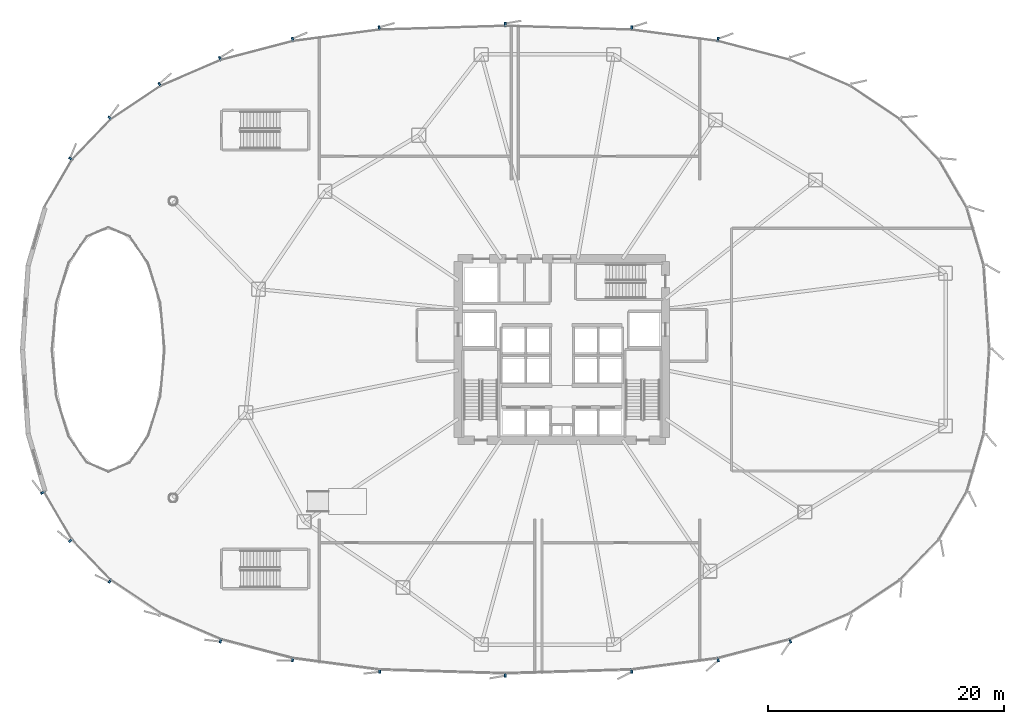
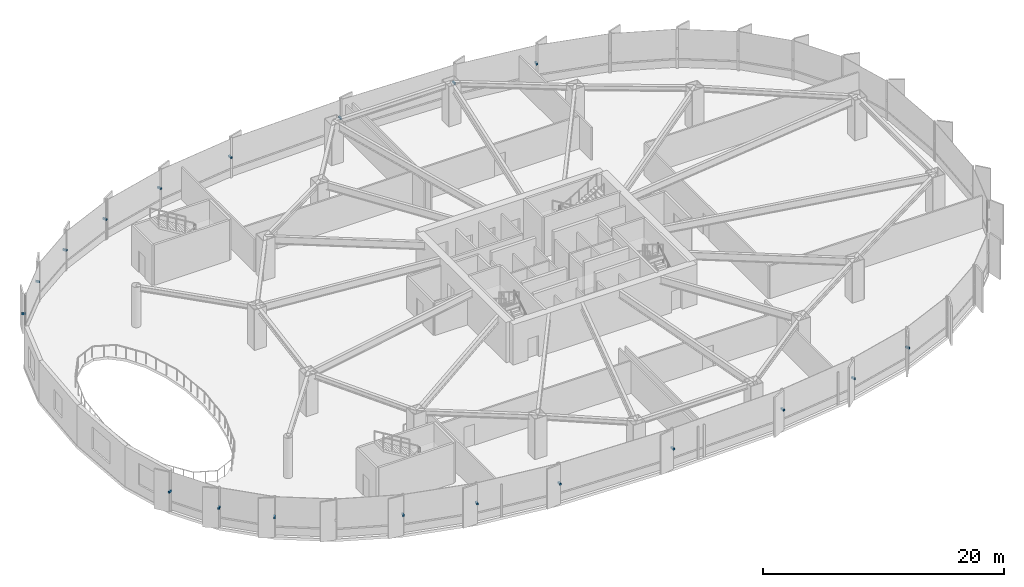
# One storey, part 27 of 34: 19 discrete accessories.
"""IFC4 building model written with IfcOpenShell, lengths in metres."""

import ifcopenshell
import ifcopenshell.guid

model = None  # the IFC model being written
_history = None  # IfcOwnerHistory: only IFC2X3 demands one
_inside = {}  # id of a spatial element -> (the spatial element, [elements in it])
_under = {}  # id of a project, library or spatial element -> (it, [spatial elements below it])
_declared = {}  # id of a project -> (the project, [libraries it declares])
_typed = {}  # id of a type object -> (the type object, [elements of that type])
_made_of = {}  # id of a material, layer set ... -> (it, [elements and type objects made of it])


def new_model(schema):
    """Start an empty IFC model of exactly this schema.

    Asked for "IFC4X3", IfcOpenShell would pick the latest addendum, in which some entities
    have other attributes; the version numbers below select the first issue.
    IFC2X3 requires an IfcOwnerHistory on every rooted entity: one is made here for all.
    """
    global model, _history
    if schema == "IFC4X3":
        model = ifcopenshell.file(schema_version=(4, 3, 0, 0))
    else:
        model = ifcopenshell.file(schema=schema)
    _inside.clear()
    _under.clear()
    _declared.clear()
    _typed.clear()
    _made_of.clear()
    _history = None
    if model.schema == "IFC2X3":
        org = make("IfcOrganization", Name="unknown")
        user = make(
            "IfcPersonAndOrganization",
            ThePerson=make("IfcPerson", FamilyName="unknown"),
            TheOrganization=org,
        )
        app = make(
            "IfcApplication",
            ApplicationDeveloper=org,
            Version="unknown",
            ApplicationFullName="unknown",
            ApplicationIdentifier="unknown",
        )
        _history = make(
            "IfcOwnerHistory",
            OwningUser=user,
            OwningApplication=app,
            ChangeAction="ADDED",
            CreationDate=0,
        )
    return model


def make(cls, **values):
    """One entity of the class cls with the attributes given. An attribute that is None is left unset."""
    return model.create_entity(
        cls, **{name: value for name, value in values.items() if value is not None}
    )


def rooted(cls, **values):
    """An entity with a GlobalId (a new one), such as an element, a storey or a relation."""
    return make(cls, GlobalId=ifcopenshell.guid.new(), OwnerHistory=_history, **values)


def si_unit(unit_type, name, prefix=None):
    """IfcSIUnit, for example si_unit("LENGTHUNIT", "METRE", prefix="MILLI")."""
    return make("IfcSIUnit", UnitType=unit_type, Prefix=prefix, Name=name)


def assignment(units):
    """IfcUnitAssignment: the units of a project."""
    return None if units is None else make("IfcUnitAssignment", Units=units)


def point(xyz):
    """IfcCartesianPoint."""
    return None if xyz is None else make("IfcCartesianPoint", Coordinates=xyz)


def direction(xyz):
    """IfcDirection."""
    return None if xyz is None else make("IfcDirection", DirectionRatios=xyz)


def frame(location, z_axis=None, x_axis=None):
    """IfcAxis2Placement3D, a coordinate frame: its origin and axes. An axis left out is left unset."""
    return make(
        "IfcAxis2Placement3D",
        Location=point(location),
        Axis=direction(z_axis),
        RefDirection=direction(x_axis),
    )


def frame_2d(location, x_axis=None):
    """IfcAxis2Placement2D, a coordinate frame in the plane: its origin and x axis."""
    return make(
        "IfcAxis2Placement2D", Location=point(location), RefDirection=direction(x_axis)
    )


def origin():
    """The frame at (0, 0, 0) with its axes left unset."""
    return frame((0.0, 0.0, 0.0))


def origin_2d():
    """The frame at (0, 0) in the plane with its x axis left unset."""
    return frame_2d((0.0, 0.0))


def place(relative_to, where):
    """IfcLocalPlacement: puts the frame where relative to a parent placement (None: the world)."""
    return make(
        "IfcLocalPlacement", PlacementRelTo=relative_to, RelativePlacement=where
    )


def context(
    kind, dimensions, precision=None, world=None, true_north=None, identifier=None
):
    """IfcGeometricRepresentationContext, for example the 3D "Model" context."""
    return make(
        "IfcGeometricRepresentationContext",
        ContextIdentifier=identifier,
        ContextType=kind,
        CoordinateSpaceDimension=dimensions,
        Precision=precision,
        WorldCoordinateSystem=world,
        TrueNorth=true_north,
    )


def subcontext(parent, identifier, kind, view, scale=None):
    """IfcGeometricRepresentationSubContext, for example "Body" below "Model"."""
    return make(
        "IfcGeometricRepresentationSubContext",
        ContextIdentifier=identifier,
        ContextType=kind,
        ParentContext=parent,
        TargetScale=scale,
        TargetView=view,
    )


def project(units=None, contexts=None):
    """IfcProject with its units and contexts."""
    return rooted(
        "IfcProject",
        Name="project",
        RepresentationContexts=contexts,
        UnitsInContext=assignment(units),
    )


def spatial(cls, under=None, at=None, **own):
    """A site, building, storey or space (cls), placed at a placement, below another one or the project."""
    s = rooted(cls, ObjectPlacement=at, **own)
    if under is not None:
        _under.setdefault(under.id(), (under, []))[1].append(s)
    return s


def profile(cls, at=None, kind="AREA", **sizes):
    """A parametric profile (cls). Its sizes go by their IFC names, for example OverallWidth=200.0."""
    return make(cls, ProfileType=kind, Position=at, **sizes)


def rectangle(**sizes):
    """IfcRectangleProfileDef."""
    return profile("IfcRectangleProfileDef", **sizes)


def extrude(swept, where, along, depth):
    """IfcExtrudedAreaSolid: the profile swept, set in the frame where, extruded along a direction by depth."""
    return make(
        "IfcExtrudedAreaSolid",
        SweptArea=swept,
        Position=where,
        ExtrudedDirection=direction(along),
        Depth=depth,
    )


def shape(context_of_items, identifier, shape_type, items):
    """IfcShapeRepresentation: the items that make up one representation, for example the "Body"."""
    return make(
        "IfcShapeRepresentation",
        ContextOfItems=context_of_items,
        RepresentationIdentifier=identifier,
        RepresentationType=shape_type,
        Items=items,
    )


def source(mapping_origin, context_of_items, identifier, shape_type, items):
    """IfcRepresentationMap: a shape defined once, which mapped items show again and again."""
    return make(
        "IfcRepresentationMap",
        MappingOrigin=mapping_origin,
        MappedRepresentation=shape(context_of_items, identifier, shape_type, items),
    )


def transform(
    local_origin,
    x_axis=None,
    y_axis=None,
    z_axis=None,
    scale=None,
    scale2=None,
    scale3=None,
    uniform=True,
):
    """IfcCartesianTransformationOperator3D, or its non-uniform kind. x_axis, y_axis, z_axis: its Axis1, 2, 3."""
    if uniform:
        return make(
            "IfcCartesianTransformationOperator3D",
            Axis1=direction(x_axis),
            Axis2=direction(y_axis),
            LocalOrigin=point(local_origin),
            Scale=scale,
            Axis3=direction(z_axis),
        )
    return make(
        "IfcCartesianTransformationOperator3DnonUniform",
        Axis1=direction(x_axis),
        Axis2=direction(y_axis),
        LocalOrigin=point(local_origin),
        Scale=scale,
        Axis3=direction(z_axis),
        Scale2=scale2,
        Scale3=scale3,
    )


def mapped(mapping_source, mapping_target):
    """IfcMappedItem: shows the shape of a source again, moved by a transform."""
    return make(
        "IfcMappedItem", MappingSource=mapping_source, MappingTarget=mapping_target
    )


def material(Name=None, Category=None):
    """IfcMaterial."""
    return make("IfcMaterial", Name=Name, Category=Category)


def made_of(thing, what):
    """Note that an element or type object is made of a material, layer set ...; save() writes the relation."""
    if what is not None:
        _made_of.setdefault(what.id(), (what, []))[1].append(thing)
    return thing


def type_object(cls, material=None, **own):
    """A type object (cls), such as IfcWallType, which elements share."""
    return made_of(rooted(cls, **own), material)


def element(
    cls,
    number,
    at=None,
    inside=None,
    cuts=None,
    type_object=None,
    material=None,
    context=None,
    identifier="Body",
    shape_type=None,
    held_by="IfcProductDefinitionShape",
    body=None,
    shapes=None,
    **own,
):
    """One element of the class cls, such as IfcWall. Its Tag is "e" and its number.

    at: its placement. inside: the storey or other place that contains it. cuts: it is an
    opening in that element (IfcRelVoidsElement). A single representation is given by context,
    identifier, shape_type and body (its items); several are given by shapes. held_by: the class
    of the entity that holds the representations. save() writes the other relations.
    """
    e = rooted(cls, Tag="e%d" % number, ObjectPlacement=at, **own)
    if body is not None:
        shapes = [shape(context, identifier, shape_type, body)]
    if shapes is not None:
        e.Representation = make(held_by, Representations=shapes)
    if inside is not None:
        _inside.setdefault(inside.id(), (inside, []))[1].append(e)
    if cuts is not None:
        rooted(
            "IfcRelVoidsElement", RelatingBuildingElement=cuts, RelatedOpeningElement=e
        )
    if type_object is not None:
        _typed.setdefault(type_object.id(), (type_object, []))[1].append(e)
    return made_of(e, material)


def aggregate(whole, parts):
    """IfcRelAggregates: a whole, such as a stair, and the parts it consists of."""
    return rooted("IfcRelAggregates", RelatingObject=whole, RelatedObjects=parts)


def save(model, path):
    """Write the relations noted so far, then the file.

    IfcRelAggregates (storeys below a building ...), IfcRelContainedInSpatialStructure (elements
    in a storey), IfcRelDefinesByType, IfcRelAssociatesMaterial and IfcRelDeclares: one each for
    every whole, place, type object, material and project.
    """
    for whole, parts in _under.values():
        aggregate(whole, parts)
    for where, things in _inside.values():
        rooted(
            "IfcRelContainedInSpatialStructure",
            RelatedElements=things,
            RelatingStructure=where,
        )
    for kind, things in _typed.values():
        rooted("IfcRelDefinesByType", RelatedObjects=things, RelatingType=kind)
    for what, things in _made_of.values():
        rooted("IfcRelAssociatesMaterial", RelatedObjects=things, RelatingMaterial=what)
    for by, libraries in _declared.values():
        rooted("IfcRelDeclares", RelatingContext=by, RelatedDefinitions=libraries)
    model.write(path)


model = new_model("IFC4")

# Units and contexts
model_context = context("Model", 3, precision=1e-05, world=origin(), true_north=direction((0.0, 1.0)))
body_context = subcontext(model_context, "Body", "Model", "MODEL_VIEW")
ifc_project = project(units=[si_unit("LENGTHUNIT", "METRE"), si_unit("AREAUNIT", "SQUARE_METRE"), si_unit("VOLUMEUNIT", "CUBIC_METRE"), si_unit("PLANEANGLEUNIT", "RADIAN"), si_unit("MASSUNIT", "GRAM", prefix="KILO"), si_unit("THERMODYNAMICTEMPERATUREUNIT", "KELVIN")], contexts=[model_context])

# Site, building, storey
site_placement = place(None, origin())
site = spatial("IfcSite", under=ifc_project, at=site_placement, CompositionType="ELEMENT")
building_placement = place(site_placement, origin())
building = spatial("IfcBuilding", under=site, at=building_placement, Name="Kethvar Cultural Tower", CompositionType="ELEMENT")
storey_placement = place(building_placement, frame((0.0, 0.0, 19.60009765625)))
storey = spatial("IfcBuildingStorey", under=building, at=storey_placement, Name="L04", CompositionType="ELEMENT", Elevation=19.60009765625)

# Discrete accessories
ifc_material = material(Name="Steel S355J2", Category="steel")
discrete_accessory_type = type_object("IfcDiscreteAccessoryType", Name="Steel Fin Bracket BRK-01", PredefinedType="BRACKET", material=ifc_material)
shared_shape = source(origin(), body_context, "Body", "SweptSolid", [
    extrude(rectangle(XDim=0.3798828125, YDim=0.159912109375, at=origin_2d()), origin(), (0.0, 0.0, 1.0), 0.179931640625),
])
for number, where, z_axis, x_axis, name in (
    (1, (60.05126953125, 54.120361328125, 1.94970703125), (0.0, 0.0, 1.0), (0.130699230003, 0.991422065155, 0.0), "L04 Terracotta Fin Bracket 2.2"),
    (2, (52.71630859375, 55.0869140625, 1.94970703125), (0.0, 0.0, 1.0), (0.030189608314, 0.999544189894, 0.0), "L04 Terracotta Fin Bracket 2.3"),
    (3, (41.999755859375, 55.409912109375, 1.94970703125), (0.0, 0.0, 1.0), (-0.030189608314, 0.999544189894, 0.0), "L04 Terracotta Fin Bracket 2.4"),
    (4, (31.28271484375, 55.0869140625, 1.94970703125), (0.0, 0.0, 1.0), (-0.130699230003, 0.991422065155, 0.0), "L04 Terracotta Fin Bracket 2.5"),
    (5, (23.947509765625, 54.1201171875, 1.94970703125), (0.0, 0.0, 1.0), (-0.253082602519, 0.96744467351, 0.0), "L04 Terracotta Fin Bracket 2.6"),
    (6, (17.778076171875, 52.498779296875, 1.94970703125), (0.0, 0.0, 1.0), (-0.396346847517, 0.9181008531, 0.0), "L04 Terracotta Fin Bracket 3.1"),
    (7, (12.668212890625, 50.292236328125, 1.94970703125), (0.0, 0.0, 1.0), (-0.556585649903, 0.83079023485, 0.0), "L04 Terracotta Fin Bracket 3.2"),
    (8, (8.4296875, 47.452880859375, 1.94970703125), (0.0, 0.0, 1.0), (-0.72055111168, 0.693401828276, 0.0), "L04 Terracotta Fin Bracket 3.3"),
    (9, (5.106689453125, 43.998779296875, 1.94970703125), (0.0, 0.0, 1.0), (-0.864011302865, 0.503472410885, 0.0), "L04 Terracotta Fin Bracket 3.4"),
    (10, (2.74072265625, 15.6611328125, 1.94970703125), (0.0, 0.0, 1.0), (-0.864011302865, -0.503472410885, 0.0), "L04 Terracotta Fin Bracket 4.1"),
    (11, (5.1083984375, 11.59912109375, 1.94970703125), (0.0, 0.0, 1.0), (-0.72055111168, -0.693401828276, 0.0), "L04 Terracotta Fin Bracket 4.2"),
    (12, (8.431396484375, 8.14599609375, 1.94970703125), (0.0, 0.0, 1.0), (-0.556585649903, -0.83079023485, 0.0), "L04 Terracotta Fin Bracket 4.3"),
    (13, (17.82421875, 3.081298828125, 1.94970703125), (0.0, 0.0, 1.0), (-0.253082602519, -0.96744467351, 0.0), "L04 Terracotta Fin Bracket 4.5"),
    (14, (23.94873046875, 1.4794921875, 1.94970703125), (0.0, 0.0, 1.0), (-0.130699230003, -0.991422065155, 0.0), "L04 Terracotta Fin Bracket 4.6"),
    (15, (31.33251953125, 0.51171875, 1.94970703125), (0.0, 0.0, 1.0), (-0.030189608314, -0.999544189894, 0.0), "L04 Terracotta Fin Bracket 5.1"),
    (16, (42.000244140625, 0.18994140625, 1.94970703125), (0.0, 0.0, 1.0), (0.030189608314, -0.999544189894, 0.0), "L04 Terracotta Fin Bracket 5.2"),
    (17, (52.71728515625, 0.51318359375, 1.94970703125), (0.0, 0.0, 1.0), (0.130699230003, -0.991422065155, 0.0), "L04 Terracotta Fin Bracket 5.3"),
    (18, (60.052490234375, 1.47998046875, 1.94970703125), (0.0, 0.0, 1.0), (0.253082602519, -0.96744467351, 0.0), "L04 Terracotta Fin Bracket 5.4"),
    (19, (66.17724609375, 3.081787109375, 1.94970703125), (0.0, 0.0, 1.0), (0.396346847517, -0.9181008531, 0.0), "L04 Terracotta Fin Bracket 5.5"),
):
    element("IfcDiscreteAccessory", number, at=place(storey_placement, frame(where, z_axis=z_axis, x_axis=x_axis)), inside=storey, type_object=discrete_accessory_type, Name=name, PredefinedType="BRACKET", context=body_context, shape_type="MappedRepresentation", body=[
        mapped(shared_shape, transform((0.0, 0.0, 0.0), scale=1.0)),
    ])

save(model, "model.ifc")
